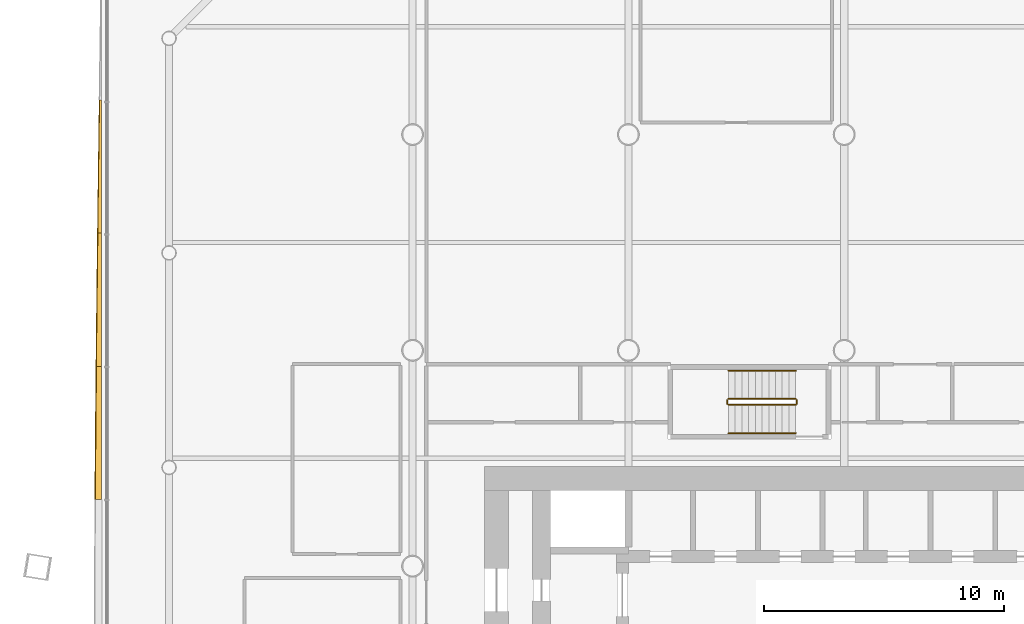
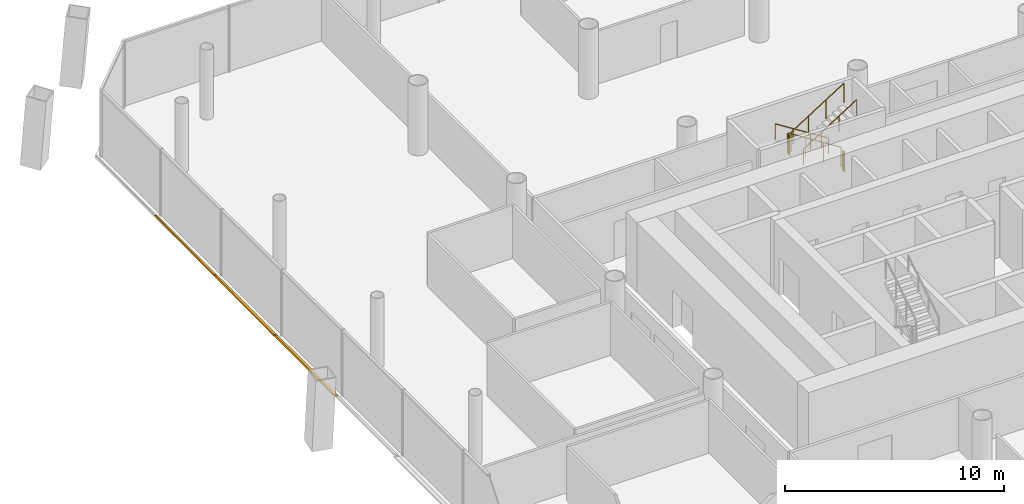
# One storey, part 22 of 23: 6 railings, 3 shading devices.
"""IFC4 building model written with IfcOpenShell, lengths in metres."""

import ifcopenshell
import ifcopenshell.guid

model = None  # the IFC model being written
_history = None  # IfcOwnerHistory: only IFC2X3 demands one
_inside = {}  # id of a spatial element -> (the spatial element, [elements in it])
_under = {}  # id of a project, library or spatial element -> (it, [spatial elements below it])
_declared = {}  # id of a project -> (the project, [libraries it declares])
_typed = {}  # id of a type object -> (the type object, [elements of that type])
_made_of = {}  # id of a material, layer set ... -> (it, [elements and type objects made of it])


def new_model(schema):
    """Start an empty IFC model of exactly this schema.

    Asked for "IFC4X3", IfcOpenShell would pick the latest addendum, in which some entities
    have other attributes; the version numbers below select the first issue.
    IFC2X3 requires an IfcOwnerHistory on every rooted entity: one is made here for all.
    """
    global model, _history
    if schema == "IFC4X3":
        model = ifcopenshell.file(schema_version=(4, 3, 0, 0))
    else:
        model = ifcopenshell.file(schema=schema)
    _inside.clear()
    _under.clear()
    _declared.clear()
    _typed.clear()
    _made_of.clear()
    _history = None
    if model.schema == "IFC2X3":
        org = make("IfcOrganization", Name="unknown")
        user = make(
            "IfcPersonAndOrganization",
            ThePerson=make("IfcPerson", FamilyName="unknown"),
            TheOrganization=org,
        )
        app = make(
            "IfcApplication",
            ApplicationDeveloper=org,
            Version="unknown",
            ApplicationFullName="unknown",
            ApplicationIdentifier="unknown",
        )
        _history = make(
            "IfcOwnerHistory",
            OwningUser=user,
            OwningApplication=app,
            ChangeAction="ADDED",
            CreationDate=0,
        )
    return model


def make(cls, **values):
    """One entity of the class cls with the attributes given. An attribute that is None is left unset."""
    return model.create_entity(
        cls, **{name: value for name, value in values.items() if value is not None}
    )


def rooted(cls, **values):
    """An entity with a GlobalId (a new one), such as an element, a storey or a relation."""
    return make(cls, GlobalId=ifcopenshell.guid.new(), OwnerHistory=_history, **values)


def si_unit(unit_type, name, prefix=None):
    """IfcSIUnit, for example si_unit("LENGTHUNIT", "METRE", prefix="MILLI")."""
    return make("IfcSIUnit", UnitType=unit_type, Prefix=prefix, Name=name)


def assignment(units):
    """IfcUnitAssignment: the units of a project."""
    return None if units is None else make("IfcUnitAssignment", Units=units)


def point(xyz):
    """IfcCartesianPoint."""
    return None if xyz is None else make("IfcCartesianPoint", Coordinates=xyz)


def direction(xyz):
    """IfcDirection."""
    return None if xyz is None else make("IfcDirection", DirectionRatios=xyz)


def frame(location, z_axis=None, x_axis=None):
    """IfcAxis2Placement3D, a coordinate frame: its origin and axes. An axis left out is left unset."""
    return make(
        "IfcAxis2Placement3D",
        Location=point(location),
        Axis=direction(z_axis),
        RefDirection=direction(x_axis),
    )


def frame_2d(location, x_axis=None):
    """IfcAxis2Placement2D, a coordinate frame in the plane: its origin and x axis."""
    return make(
        "IfcAxis2Placement2D", Location=point(location), RefDirection=direction(x_axis)
    )


def origin():
    """The frame at (0, 0, 0) with its axes left unset."""
    return frame((0.0, 0.0, 0.0))


def origin_2d():
    """The frame at (0, 0) in the plane with its x axis left unset."""
    return frame_2d((0.0, 0.0))


def place(relative_to, where):
    """IfcLocalPlacement: puts the frame where relative to a parent placement (None: the world)."""
    return make(
        "IfcLocalPlacement", PlacementRelTo=relative_to, RelativePlacement=where
    )


def context(
    kind, dimensions, precision=None, world=None, true_north=None, identifier=None
):
    """IfcGeometricRepresentationContext, for example the 3D "Model" context."""
    return make(
        "IfcGeometricRepresentationContext",
        ContextIdentifier=identifier,
        ContextType=kind,
        CoordinateSpaceDimension=dimensions,
        Precision=precision,
        WorldCoordinateSystem=world,
        TrueNorth=true_north,
    )


def subcontext(parent, identifier, kind, view, scale=None):
    """IfcGeometricRepresentationSubContext, for example "Body" below "Model"."""
    return make(
        "IfcGeometricRepresentationSubContext",
        ContextIdentifier=identifier,
        ContextType=kind,
        ParentContext=parent,
        TargetScale=scale,
        TargetView=view,
    )


def project(units=None, contexts=None):
    """IfcProject with its units and contexts."""
    return rooted(
        "IfcProject",
        Name="project",
        RepresentationContexts=contexts,
        UnitsInContext=assignment(units),
    )


def spatial(cls, under=None, at=None, **own):
    """A site, building, storey or space (cls), placed at a placement, below another one or the project."""
    s = rooted(cls, ObjectPlacement=at, **own)
    if under is not None:
        _under.setdefault(under.id(), (under, []))[1].append(s)
    return s


def polyline(points):
    """IfcPolyline through the points."""
    return make("IfcPolyline", Points=[point(p) for p in points])


def profile(cls, at=None, kind="AREA", **sizes):
    """A parametric profile (cls). Its sizes go by their IFC names, for example OverallWidth=200.0."""
    return make(cls, ProfileType=kind, Position=at, **sizes)


def circle(**sizes):
    """IfcCircleProfileDef."""
    return profile("IfcCircleProfileDef", **sizes)


def outline(outer, holes=None, kind="AREA"):
    """IfcArbitraryClosedProfileDef: a profile drawn as a closed curve; with holes, ...WithVoids."""
    if holes is None:
        return make("IfcArbitraryClosedProfileDef", ProfileType=kind, OuterCurve=outer)
    return make(
        "IfcArbitraryProfileDefWithVoids",
        ProfileType=kind,
        OuterCurve=outer,
        InnerCurves=holes,
    )


def extrude(swept, where, along, depth):
    """IfcExtrudedAreaSolid: the profile swept, set in the frame where, extruded along a direction by depth."""
    return make(
        "IfcExtrudedAreaSolid",
        SweptArea=swept,
        Position=where,
        ExtrudedDirection=direction(along),
        Depth=depth,
    )


def shape(context_of_items, identifier, shape_type, items):
    """IfcShapeRepresentation: the items that make up one representation, for example the "Body"."""
    return make(
        "IfcShapeRepresentation",
        ContextOfItems=context_of_items,
        RepresentationIdentifier=identifier,
        RepresentationType=shape_type,
        Items=items,
    )


def material(Name=None, Category=None):
    """IfcMaterial."""
    return make("IfcMaterial", Name=Name, Category=Category)


def layer(
    of_material, thickness, ventilated=None, Name=None, Category=None, Priority=None
):
    """IfcMaterialLayer: one layer of a wall or slab, of a material (None: an air gap)."""
    return make(
        "IfcMaterialLayer",
        Material=of_material,
        LayerThickness=thickness,
        IsVentilated=ventilated,
        Name=Name,
        Category=Category,
        Priority=Priority,
    )


def layer_set(layers, Name=None):
    """IfcMaterialLayerSet."""
    return make("IfcMaterialLayerSet", MaterialLayers=layers, LayerSetName=Name)


def made_of(thing, what):
    """Note that an element or type object is made of a material, layer set ...; save() writes the relation."""
    if what is not None:
        _made_of.setdefault(what.id(), (what, []))[1].append(thing)
    return thing


def type_object(cls, material=None, **own):
    """A type object (cls), such as IfcWallType, which elements share."""
    return made_of(rooted(cls, **own), material)


def element(
    cls,
    number,
    at=None,
    inside=None,
    cuts=None,
    type_object=None,
    material=None,
    context=None,
    identifier="Body",
    shape_type=None,
    held_by="IfcProductDefinitionShape",
    body=None,
    shapes=None,
    **own,
):
    """One element of the class cls, such as IfcWall. Its Tag is "e" and its number.

    at: its placement. inside: the storey or other place that contains it. cuts: it is an
    opening in that element (IfcRelVoidsElement). A single representation is given by context,
    identifier, shape_type and body (its items); several are given by shapes. held_by: the class
    of the entity that holds the representations. save() writes the other relations.
    """
    e = rooted(cls, Tag="e%d" % number, ObjectPlacement=at, **own)
    if body is not None:
        shapes = [shape(context, identifier, shape_type, body)]
    if shapes is not None:
        e.Representation = make(held_by, Representations=shapes)
    if inside is not None:
        _inside.setdefault(inside.id(), (inside, []))[1].append(e)
    if cuts is not None:
        rooted(
            "IfcRelVoidsElement", RelatingBuildingElement=cuts, RelatedOpeningElement=e
        )
    if type_object is not None:
        _typed.setdefault(type_object.id(), (type_object, []))[1].append(e)
    return made_of(e, material)


def aggregate(whole, parts):
    """IfcRelAggregates: a whole, such as a stair, and the parts it consists of."""
    return rooted("IfcRelAggregates", RelatingObject=whole, RelatedObjects=parts)


def save(model, path):
    """Write the relations noted so far, then the file.

    IfcRelAggregates (storeys below a building ...), IfcRelContainedInSpatialStructure (elements
    in a storey), IfcRelDefinesByType, IfcRelAssociatesMaterial and IfcRelDeclares: one each for
    every whole, place, type object, material and project.
    """
    for whole, parts in _under.values():
        aggregate(whole, parts)
    for where, things in _inside.values():
        rooted(
            "IfcRelContainedInSpatialStructure",
            RelatedElements=things,
            RelatingStructure=where,
        )
    for kind, things in _typed.values():
        rooted("IfcRelDefinesByType", RelatedObjects=things, RelatingType=kind)
    for what, things in _made_of.values():
        rooted("IfcRelAssociatesMaterial", RelatedObjects=things, RelatingMaterial=what)
    for by, libraries in _declared.values():
        rooted("IfcRelDeclares", RelatingContext=by, RelatedDefinitions=libraries)
    model.write(path)


model = new_model("IFC4")

# Units and contexts
model_context = context("Model", 3, precision=1e-05, world=origin(), true_north=direction((0.0, 1.0)))
body_context = subcontext(model_context, "Body", "Model", "MODEL_VIEW")
ifc_project = project(units=[si_unit("LENGTHUNIT", "METRE"), si_unit("AREAUNIT", "SQUARE_METRE"), si_unit("VOLUMEUNIT", "CUBIC_METRE"), si_unit("PLANEANGLEUNIT", "RADIAN"), si_unit("MASSUNIT", "GRAM", prefix="KILO")], contexts=[model_context])

# Site, building, storey
site_placement = place(None, origin())
site = spatial("IfcSite", under=ifc_project, at=site_placement, CompositionType="ELEMENT")
building_placement = place(site_placement, origin())
building = spatial("IfcBuilding", under=site, at=building_placement, Name="Tskaro Facet Tower", CompositionType="ELEMENT")
storey_placement = place(building_placement, frame((0.0, 0.0, 14.699951171875)))
storey = spatial("IfcBuildingStorey", under=building, at=storey_placement, Name="L02", CompositionType="ELEMENT", Elevation=14.699951171875)

# Shading devices
ifc_material_1 = material(Name="Bronze anodised aluminium 6063-T6", Category="aluminium")
ifc_layer = layer(ifc_material_1, 0.06005859375, Name="Bronze anodised aluminium 6063-T6")
ifc_layer_set = layer_set([ifc_layer], Name="Bronze anodised aluminium 6063-T6")
shading_device_type = type_object("IfcShadingDeviceType", Name="Bronze sun blade (FN1)", PredefinedType="USERDEFINED", material=ifc_layer_set)
shading_device_1_placement = place(storey_placement, frame((-30.974609375, 19.4443359375, 0.054443359375), z_axis=(0.422278561, -2.363091e-06, 0.906466114598), x_axis=(-9.97882e-07, -0.999999999997, -2.142062e-06)))
element("IfcShadingDevice", 1, at=shading_device_1_placement, inside=storey, type_object=shading_device_type, Name="Fin blade west 2", ObjectType="FIN", PredefinedType="USERDEFINED", context=body_context, shape_type="SweptSolid", body=[
    extrude(outline(polyline([(0.0, 0.0), (5.555419921859489, -1.176405927415259e-21), (5.555419921870245, -0.16940791124438642), (4.861083984492124, -0.1596883029283134), (4.1665039064890035, -0.14996869461224038), (3.4721679686236353, -0.1398064758886477), (2.7775878903768922, -0.12986556236881483), (2.0832519530344875, -0.11960024829341517), (1.388671874823461, -0.10911362901425566), (0.6943359377603978, -0.09852391438328914), (-6.92533991829145e-11, -0.08781598990036979), (0.0, 0.0)])), origin(), (0.0, 0.0, -1.0), 0.06005859375),
])
shading_device_2_placement = place(storey_placement, frame((-30.969970703125, 13.888916015625, 0.052001953125), z_axis=(0.500027859578, 1.2536614e-05, 0.866009318361), x_axis=(6.268656e-06, -0.999999999921, 1.0856825e-05)))
element("IfcShadingDevice", 2, at=shading_device_2_placement, inside=storey, type_object=shading_device_type, Name="Fin blade west 3", ObjectType="FIN", PredefinedType="USERDEFINED", context=body_context, shape_type="SweptSolid", body=[
    extrude(outline(polyline([(0.0, 0.0), (5.555664062063418, 0.0), (5.555664063202264, -0.24982874029602054), (4.86108398445436, -0.24162201572376793), (4.16674804786187, -0.23320386309525823), (3.4721679695242416, -0.22445220529632692), (2.777832030691435, -0.215367042326974), (2.0832519512336476, -0.2062818793576211), (1.3889160154617086, -0.196773860275754), (0.6945800770391777, -0.18714376407972233), (-4.779006064581406e-10, -0.17730223982743362), (0.0, 0.0)])), origin(), (0.0, 0.0, -1.0), 0.06005859375),
])
shading_device_3_placement = place(storey_placement, frame((-30.965576171875, 8.333251953125, 0.04931640625), z_axis=(0.573434545397, 3.512943e-06, 0.819251379085), x_axis=(2.014443e-06, -0.999999999994, 2.877983e-06)))
element("IfcShadingDevice", 3, at=shading_device_3_placement, inside=storey, type_object=shading_device_type, Name="Fin blade west 4", ObjectType="FIN", PredefinedType="USERDEFINED", context=body_context, shape_type="SweptSolid", body=[
    extrude(outline(polyline([(0.0, 0.0), (5.555419921840721, 1.176405927415259e-21), (5.555419921879087, -0.3218525404639351), (4.8610839843826605, -0.3158923082331215), (4.16650390605041, -0.309592064790274), (3.472167968624141, -0.30275179759166937), (2.777587890362048, -0.295571519181031), (2.0832519532167604, -0.2881912282266692), (1.3889160158606475, -0.2804709260602737), (0.694335937668711, -0.27241061268184424), (-1.0905233877794221e-10, -0.26401028809138094), (0.0, 0.0)])), origin(), (0.0, 0.0, -1.0), 0.06005859375),
])

# Railings
ifc_material_2 = material(Name="Stainless steel", Category="steel")
railing_type_1 = type_object("IfcRailingType", Name="RL-GUARD-1100", PredefinedType="GUARDRAIL", material=ifc_material_2)
railing_1_placement = place(storey_placement, frame((-2.02490234375, 6.97509765625, 0.17724609375)))
element("IfcRailing", 4, at=railing_1_placement, inside=storey, type_object=railing_type_1, Name="L02 ST-3 stair guard 1", PredefinedType="GUARDRAIL", context=body_context, shape_type="SweptSolid", body=[
    extrude(circle(Radius=0.02392578125, at=origin_2d()), frame((0.0, 0.0, 1.076171875), z_axis=(-0.844908973607, 0.0, 0.534910110503), x_axis=(0.0, -1.0, 0.0)), (0.0, 0.0, 1.0), 3.31396484375),
    extrude(circle(Radius=0.02099609375, at=origin_2d()), origin(), (0.0, 0.0, 1.0), 1.052001953125),
    extrude(circle(Radius=0.02099609375, at=origin_2d()), frame((-0.933349609375, 0.0, 0.5908203125)), (0.0, 0.0, 1.0), 1.052001953125),
    extrude(circle(Radius=0.02099609375, at=origin_2d()), frame((-1.86669921875, 0.0, 1.181884765625)), (0.0, 0.0, 1.0), 1.052001953125),
    extrude(circle(Radius=0.02099609375, at=origin_2d()), frame((-2.800048828125, 0.0, 1.772705078125)), (0.0, 0.0, 1.0), 1.052001953125),
])
railing_2_placement = place(storey_placement, frame((-4.875, 6.925048828125, 1.949951171875)))
element("IfcRailing", 5, at=railing_2_placement, inside=storey, type_object=railing_type_1, Name="L02 ST-3 stair guard 2", PredefinedType="GUARDRAIL", context=body_context, shape_type="SweptSolid", body=[
    extrude(circle(Radius=0.02392578125, at=origin_2d()), frame((0.0, 0.0, 1.076171875), z_axis=(0.0, -1.0, 0.0), x_axis=(1.0, 0.0, 0.0)), (0.0, 0.0, 1.0), 0.150146484375),
    extrude(circle(Radius=0.02099609375, at=origin_2d()), origin(), (0.0, 0.0, 1.0), 1.052001953125),
    extrude(circle(Radius=0.02099609375, at=origin_2d()), frame((0.0, -0.150146484375, 0.0)), (0.0, 0.0, 1.0), 1.052001953125),
])
railing_3_placement = place(storey_placement, frame((-4.824951171875, 6.72509765625, 2.12744140625)))
element("IfcRailing", 6, at=railing_3_placement, inside=storey, type_object=railing_type_1, Name="L02 ST-3 stair guard 3", PredefinedType="GUARDRAIL", context=body_context, shape_type="SweptSolid", body=[
    extrude(circle(Radius=0.02392578125, at=origin_2d()), frame((0.0, 0.0, 1.076171875), z_axis=(0.844908973607, 0.0, 0.534910110503), x_axis=(0.0, 1.0, 0.0)), (0.0, 0.0, 1.0), 3.31396484375),
    extrude(circle(Radius=0.02099609375, at=origin_2d()), origin(), (0.0, 0.0, 1.0), 1.052001953125),
    extrude(circle(Radius=0.02099609375, at=origin_2d()), frame((0.933349609375, 0.0, 0.5908203125)), (0.0, 0.0, 1.0), 1.052001953125),
    extrude(circle(Radius=0.02099609375, at=origin_2d()), frame((1.86669921875, 0.0, 1.181884765625)), (0.0, 0.0, 1.0), 1.052001953125),
    extrude(circle(Radius=0.02099609375, at=origin_2d()), frame((2.800048828125, 0.0, 1.772705078125)), (0.0, 0.0, 1.0), 1.052001953125),
])
railing_4_placement = place(storey_placement, frame((-1.97509765625, 6.925048828125, 0.0)))
element("IfcRailing", 7, at=railing_4_placement, inside=storey, type_object=railing_type_1, Name="L02 ST-3 stair guard 4", PredefinedType="GUARDRAIL", context=body_context, shape_type="SweptSolid", body=[
    extrude(circle(Radius=0.02392578125, at=origin_2d()), frame((0.0, 0.0, 1.076171875), z_axis=(0.0, -1.0, 0.0), x_axis=(1.0, 0.0, 0.0)), (0.0, 0.0, 1.0), 0.150146484375),
    extrude(circle(Radius=0.02099609375, at=origin_2d()), origin(), (0.0, 0.0, 1.0), 1.052001953125),
    extrude(circle(Radius=0.02099609375, at=origin_2d()), frame((0.0, -0.150146484375, 0.0)), (0.0, 0.0, 1.0), 1.052001953125),
])
railing_type_2 = type_object("IfcRailingType", Name="RL-HANDRAIL-900", PredefinedType="HANDRAIL", material=ifc_material_2)
railing_5_placement = place(storey_placement, frame((-2.02490234375, 8.14990234375, 0.17724609375)))
element("IfcRailing", 8, at=railing_5_placement, inside=storey, type_object=railing_type_2, Name="L02 ST-3 stair handrail 1", PredefinedType="HANDRAIL", context=body_context, shape_type="SweptSolid", body=[
    extrude(circle(Radius=0.02392578125, at=origin_2d()), frame((0.0, 0.0, 0.8759765625), z_axis=(-0.844908973607, 0.0, 0.534910110503), x_axis=(0.0, -1.0, 0.0)), (0.0, 0.0, 1.0), 3.31396484375),
    extrude(circle(Radius=0.02099609375, at=origin_2d()), origin(), (0.0, 0.0, 1.0), 0.851806640625),
    extrude(circle(Radius=0.02099609375, at=origin_2d()), frame((-0.933349609375, 0.0, 0.5908203125)), (0.0, 0.0, 1.0), 0.851806640625),
    extrude(circle(Radius=0.02099609375, at=origin_2d()), frame((-1.86669921875, 0.0, 1.181884765625)), (0.0, 0.0, 1.0), 0.851806640625),
    extrude(circle(Radius=0.02099609375, at=origin_2d()), frame((-2.800048828125, 0.0, 1.772705078125)), (0.0, 0.0, 1.0), 0.851806640625),
])
railing_6_placement = place(storey_placement, frame((-4.824951171875, 5.550048828125, 2.12744140625)))
element("IfcRailing", 9, at=railing_6_placement, inside=storey, type_object=railing_type_2, Name="L02 ST-3 stair handrail 2", PredefinedType="HANDRAIL", context=body_context, shape_type="SweptSolid", body=[
    extrude(circle(Radius=0.02392578125, at=origin_2d()), frame((0.0, 0.0, 0.8759765625), z_axis=(0.844908973607, 0.0, 0.534910110503), x_axis=(0.0, 1.0, 0.0)), (0.0, 0.0, 1.0), 3.31396484375),
    extrude(circle(Radius=0.02099609375, at=origin_2d()), origin(), (0.0, 0.0, 1.0), 0.851806640625),
    extrude(circle(Radius=0.02099609375, at=origin_2d()), frame((0.933349609375, 0.0, 0.5908203125)), (0.0, 0.0, 1.0), 0.851806640625),
    extrude(circle(Radius=0.02099609375, at=origin_2d()), frame((1.86669921875, 0.0, 1.181884765625)), (0.0, 0.0, 1.0), 0.851806640625),
    extrude(circle(Radius=0.02099609375, at=origin_2d()), frame((2.800048828125, 0.0, 1.772705078125)), (0.0, 0.0, 1.0), 0.851806640625),
])

save(model, "model.ifc")
